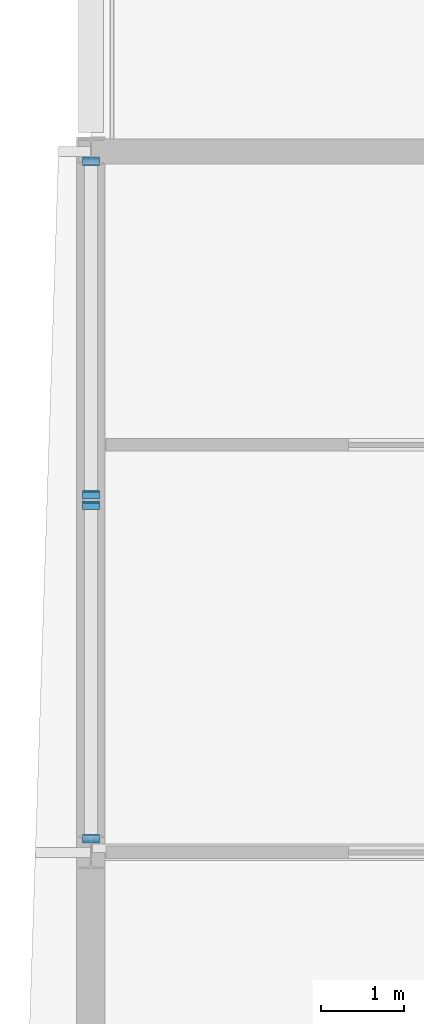
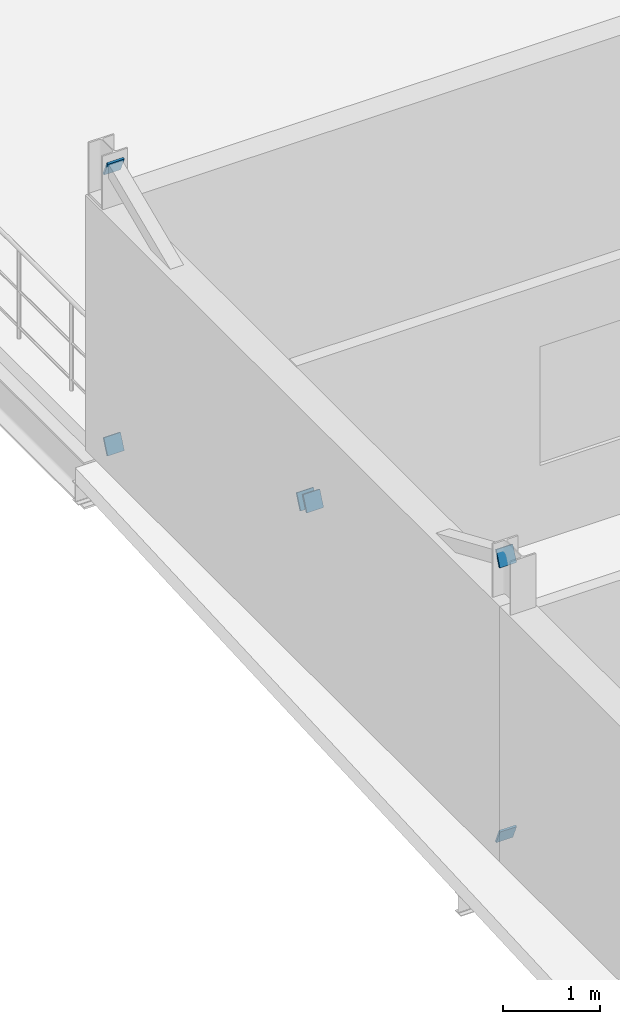
# One storey, part 10 of 17: 6 plates.
"""IFC4 building model written with IfcOpenShell, lengths in metres."""

from ifc_helpers import new_model, si_unit, direction, frame, origin, origin_2d, place, context, subcontext, project, spatial, rectangle, extrude, material, material_profile, profile_set, type_object, element, save


model = new_model("IFC4")

# Units and contexts
model_context = context("Model", 3, precision=1e-05, world=origin(), true_north=direction((0.0, 1.0)))
body_context = subcontext(model_context, "Body", "Model", "MODEL_VIEW")
ifc_project = project(units=[si_unit("LENGTHUNIT", "METRE"), si_unit("AREAUNIT", "SQUARE_METRE"), si_unit("VOLUMEUNIT", "CUBIC_METRE"), si_unit("PLANEANGLEUNIT", "RADIAN"), si_unit("MASSUNIT", "GRAM", prefix="KILO")], contexts=[model_context])

# Site, building, storey
site_placement = place(None, origin())
site = spatial("IfcSite", under=ifc_project, at=site_placement, CompositionType="ELEMENT")
building_placement = place(site_placement, origin())
building = spatial("IfcBuilding", under=site, at=building_placement, Name="Vinh Khe Railworks Police Headquarters", CompositionType="ELEMENT")
storey_placement = place(building_placement, frame((0.0, 0.0, 24.89990234375)))
storey = spatial("IfcBuildingStorey", under=building, at=storey_placement, Name="L06", CompositionType="ELEMENT", Elevation=24.89990234375)

# Plates
ifc_material = material(Name="Steel S355JR", Category="steel")
ifc_material_profile = material_profile(ifc_material, rectangle(XDim=0.199951171875, YDim=0.199951171875, at=origin_2d()), Name="PL 200x200")
ifc_profile_set = profile_set([ifc_material_profile], Name="Steel S355JR")
plate_type = type_object("IfcPlateType", Name="Steel End-Cap Plate 200x200x24", PredefinedType="SHEET", material=ifc_profile_set)
for number, where, z_axis, x_axis, name in (
    (1, (0.60009765625, 96.175048828125, 0.2001953125), (0.0, -0.91755562531, -0.397607437634), (1.0, 0.0, 0.0), "End-Cap Gusset Plate PLT-EP-0053"),
    (2, (0.60009765625, 96.175048828125, 3.7001953125), (0.0, -0.91755562531, 0.397607437634), (1.0, 0.0, 0.0), "End-Cap Gusset Plate PLT-EP-0054"),
):
    element("IfcPlate", number, at=place(storey_placement, frame(where, z_axis=z_axis, x_axis=x_axis)), inside=storey, type_object=plate_type, Name=name, PredefinedType="SHEET", context=body_context, shape_type="SweptSolid", body=[
        extrude(rectangle(XDim=0.199951171875, YDim=0.199951171875, at=origin_2d()), origin(), (0.0, 0.0, 1.0), 0.02392578125),
    ])
plate_placement = place(storey_placement, frame((0.60009765625, 100.14599609375, 1.983154296875), z_axis=(0.0, 0.919145030018, -0.393919298579), x_axis=(-1.0, 0.0, 0.0)))
element("IfcPlate", 3, at=plate_placement, inside=storey, type_object=plate_type, Name="End-Cap Gusset Plate PLT-EP-0070", PredefinedType="SHEET", context=body_context, shape_type="SweptSolid", body=[
    extrude(rectangle(XDim=0.199951171875, YDim=0.199951171875, at=origin_2d()), origin(), (0.0, 0.0, 1.0), 0.024169921875),
])
for number, where, z_axis, x_axis, name in (
    (4, (0.60009765625, 100.298828125, 1.9169921875), (0.0, -0.91755562531, 0.397607437634), (1.0, 0.0, 0.0), "End-Cap Gusset Plate PLT-EP-0076"),
    (5, (0.60009765625, 104.27001953125, 0.2001953125), (0.0, 0.91755562531, -0.397607437634), (-1.0, 0.0, 0.0), "End-Cap Gusset Plate PLT-EP-0093"),
    (6, (0.60009765625, 104.27001953125, 3.7001953125), (0.0, 0.91755562531, 0.397607437634), (-1.0, 0.0, 0.0), "End-Cap Gusset Plate PLT-EP-0094"),
):
    element("IfcPlate", number, at=place(storey_placement, frame(where, z_axis=z_axis, x_axis=x_axis)), inside=storey, type_object=plate_type, Name=name, PredefinedType="SHEET", context=body_context, shape_type="SweptSolid", body=[
        extrude(rectangle(XDim=0.199951171875, YDim=0.199951171875, at=origin_2d()), origin(), (0.0, 0.0, 1.0), 0.02392578125),
    ])

save(model, "model.ifc")
